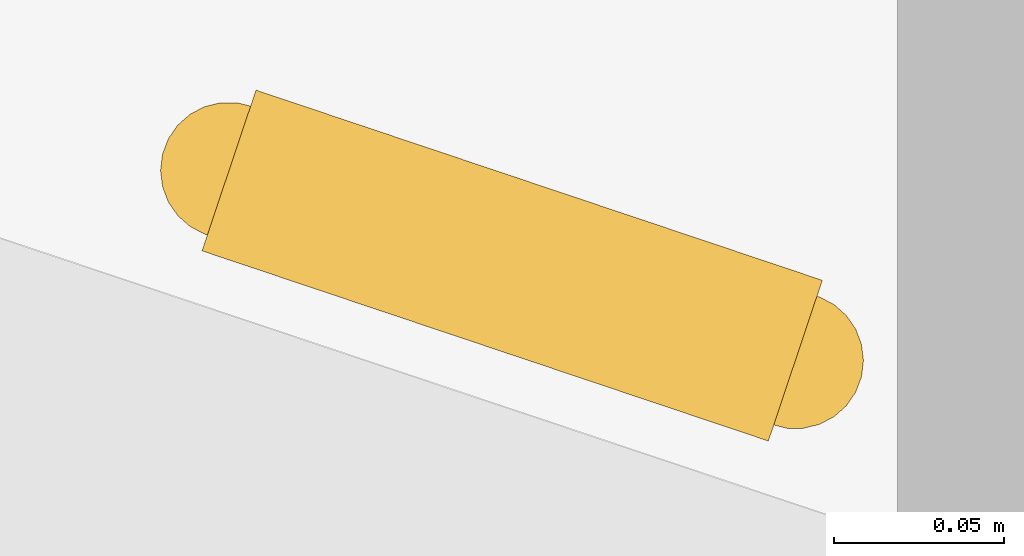
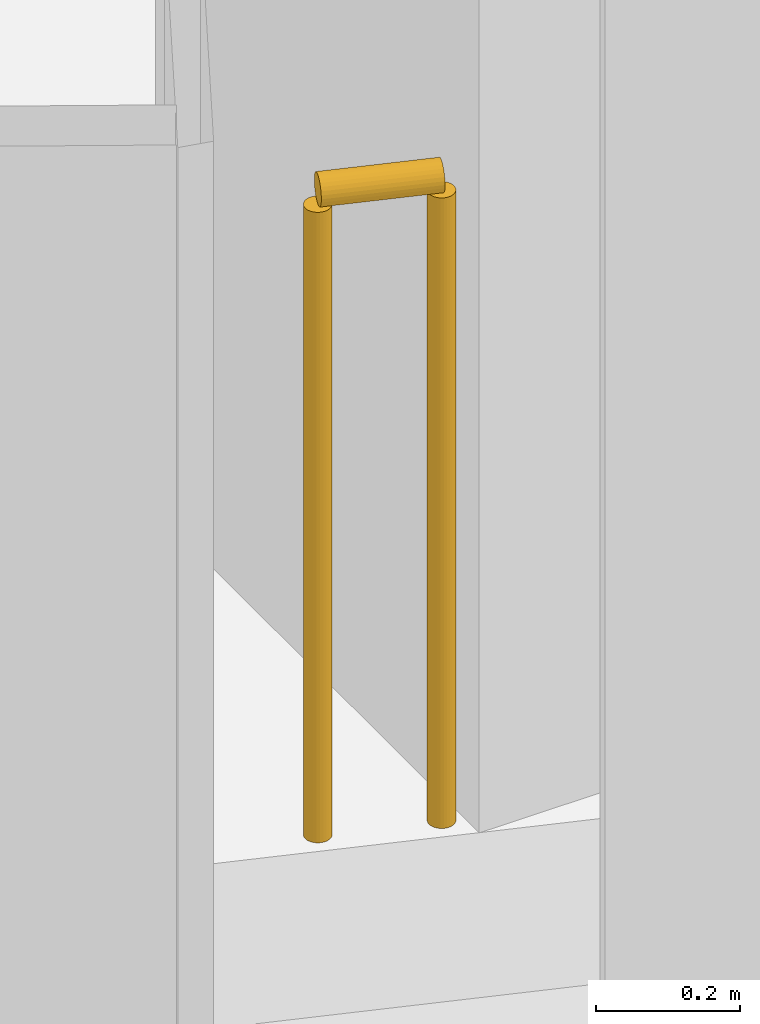
# One storey, part 24 of 25: 1 railing.
"""IFC4 building model written with IfcOpenShell, lengths in metres."""

from ifc_helpers import new_model, si_unit, direction, frame, origin, origin_2d, place, context, subcontext, project, spatial, circle, extrude, material, type_object, element, save


model = new_model("IFC4")

# Units and contexts
model_context = context("Model", 3, precision=1e-05, world=origin(), true_north=direction((0.0, 1.0)))
body_context = subcontext(model_context, "Body", "Model", "MODEL_VIEW")
ifc_project = project(units=[si_unit("LENGTHUNIT", "METRE"), si_unit("AREAUNIT", "SQUARE_METRE"), si_unit("VOLUMEUNIT", "CUBIC_METRE"), si_unit("PLANEANGLEUNIT", "RADIAN"), si_unit("MASSUNIT", "GRAM", prefix="KILO")], contexts=[model_context])

# Site, building, storey
site_placement = place(None, origin())
site = spatial("IfcSite", under=ifc_project, at=site_placement, CompositionType="ELEMENT")
building_placement = place(site_placement, origin())
building = spatial("IfcBuilding", under=site, at=building_placement, Name="Orlundy Tower", CompositionType="ELEMENT")
storey_placement = place(building_placement, frame((0.0, 0.0, 159.60009765625)))
storey = spatial("IfcBuildingStorey", under=building, at=storey_placement, Name="L41", CompositionType="ELEMENT", Elevation=159.60009765625)

# Railing
ifc_material = material(Name="Stainless steel bronze finish", Category="steel")
railing_type = type_object("IfcRailingType", Name="TG1 terrace guard", PredefinedType="GUARDRAIL", material=ifc_material)
railing_placement = place(storey_placement, frame((-28.468017578125, -53.17529296875, 0.0)))
element("IfcRailing", 1, at=railing_placement, inside=storey, type_object=railing_type, Name="Guard TG-L41-E00", PredefinedType="GUARDRAIL", context=body_context, shape_type="SweptSolid", body=[
    extrude(circle(Radius=0.02490234375, at=origin_2d()), frame((0.0, 0.0, 1.09521484375), z_axis=(-0.947986002429, 0.318312015478, 0.0), x_axis=(-0.318312015478, -0.947986002429, 0.0)), (0.0, 0.0, 1.0), 0.175537109375),
    extrude(circle(Radius=0.02001953125, at=origin_2d()), origin(), (0.0, 0.0, 1.0), 1.070068359375),
    extrude(circle(Radius=0.02001953125, at=origin_2d()), frame((-0.16650390625, 0.055908203125, 0.0)), (0.0, 0.0, 1.0), 1.070068359375),
])

save(model, "model.ifc")
